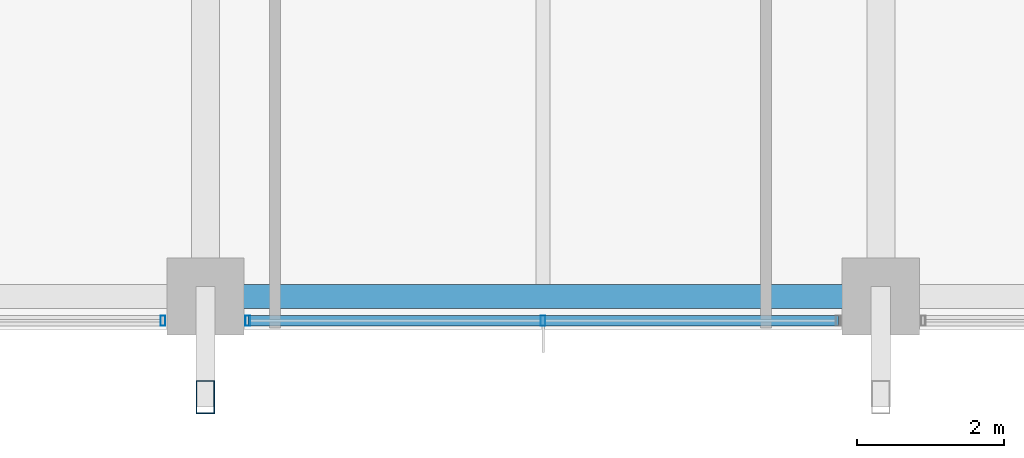
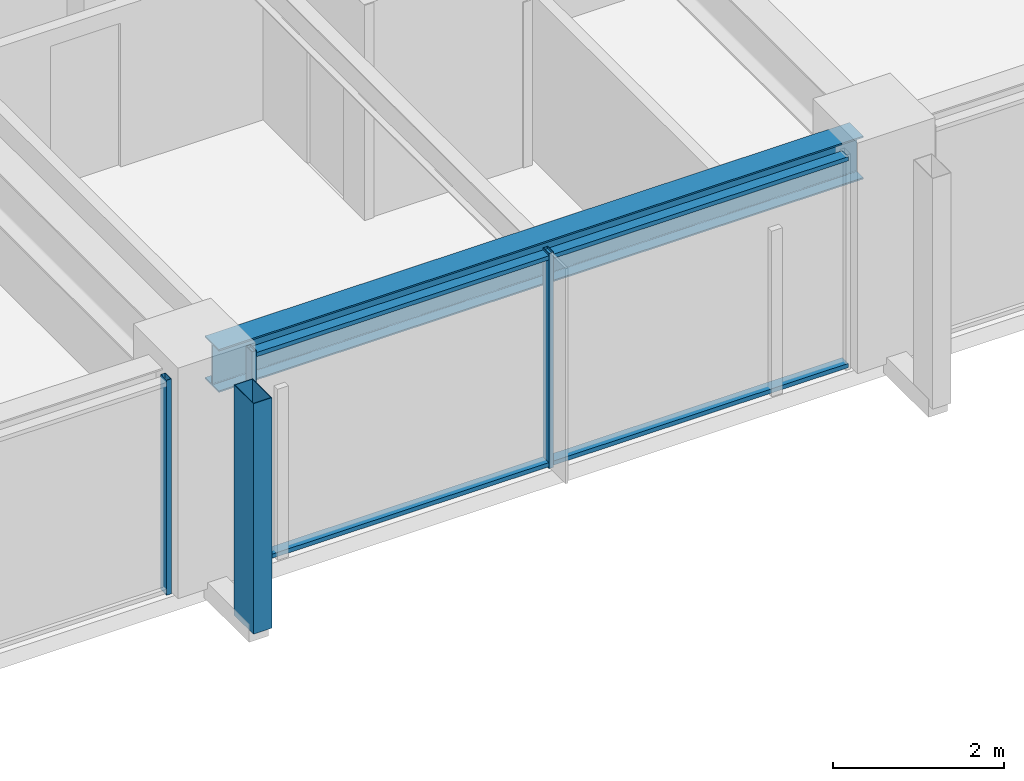
# One storey, part 4 of 37: 6 members, 1 beam, 2 elements without a shape of their own.
"""IFC4 building model written with IfcOpenShell, lengths in metres."""

from ifc_helpers import new_model, si_unit, direction, frame, origin, origin_2d, place, context, subcontext, project, spatial, hollow_rectangle, i_section, extrude, material, material_profile, profile_set, type_object, element, aggregate, save


model = new_model("IFC4")

# Units and contexts
model_context = context("Model", 3, precision=1e-05, world=origin(), true_north=direction((0.0, 1.0)))
body_context = subcontext(model_context, "Body", "Model", "MODEL_VIEW")
ifc_project = project(units=[si_unit("LENGTHUNIT", "METRE"), si_unit("AREAUNIT", "SQUARE_METRE"), si_unit("VOLUMEUNIT", "CUBIC_METRE"), si_unit("PLANEANGLEUNIT", "RADIAN"), si_unit("MASSUNIT", "GRAM", prefix="KILO")], contexts=[model_context])

# Site, building, storey
site_placement = place(None, origin())
site = spatial("IfcSite", under=ifc_project, at=site_placement, CompositionType="ELEMENT")
building_placement = place(site_placement, origin())
building = spatial("IfcBuilding", under=site, at=building_placement, Name="Kolvaren Belvedere", CompositionType="ELEMENT")
storey_placement = place(building_placement, frame((0.0, 0.0, 82.10009765625)))
storey = spatial("IfcBuildingStorey", under=building, at=storey_placement, Name="L23", CompositionType="ELEMENT", Elevation=82.10009765625)

# Beam
ifc_material_1 = material(Name="Structural steel ASTM A992 Grade 50", Category="steel")
ifc_material_profile_1 = material_profile(ifc_material_1, i_section(OverallWidth=0.324951171875, OverallDepth=0.615966796875, WebThickness=0.013916015625, FlangeThickness=0.021484375, FilletRadius=0.02001953125, at=origin_2d()), Name="W24X117")
ifc_profile_set_1 = profile_set([ifc_material_profile_1], Name="Structural steel ASTM A992 Grade 50")
beam_type = type_object("IfcBeamType", Name="BM-SPAN-W24X117", PredefinedType="SPANDREL", material=ifc_profile_set_1)
beam_placement = place(storey_placement, frame((-4.36376953125, -19.949951171875, 2.77197265625), z_axis=(1.0, 0.0, 0.0), x_axis=(0.0, 1.0, 0.0)))
element("IfcBeam", 1, at=beam_placement, inside=storey, type_object=beam_type, Name="L23 Perimeter Spandrel S2-S3", PredefinedType="SPANDREL", context=body_context, shape_type="SweptSolid", body=[
    extrude(i_section(OverallWidth=0.324951171875, OverallDepth=0.615966796875, WebThickness=0.013916015625, FlangeThickness=0.021484375, FilletRadius=0.02001953125, at=origin_2d()), origin(), (0.0, 0.0, 1.0), 8.7275390625),
])

# Curtain wall, members
ifc_material_2 = material(Name="Anodised pale-metal aluminium AA 6063-T6", Category="aluminium")
curtain_wall_type = type_object("IfcCurtainWallType", Name="CW-Z2-MID", PredefinedType="NOTDEFINED", material=ifc_material_2)
curtain_wall_1_placement = place(storey_placement, origin())
curtain_wall_1 = element("IfcCurtainWall", 2, at=curtain_wall_1_placement, inside=storey, type_object=curtain_wall_type, Name="L23 Unitised Curtain Wall FCW-L23-S-B2", PredefinedType="NOTDEFINED")
ifc_material_3 = material(Name="Anodised pale-metal aluminium AA 6063-T6", Category="aluminium")
ifc_material_profile_2 = material_profile(ifc_material_3, hollow_rectangle(XDim=0.06494140625, YDim=0.139892578125, WallThickness=0.00390625, at=origin_2d()), Name="ALU-MUL-140X65")
ifc_profile_set_2 = profile_set([ifc_material_profile_2], Name="Anodised pale-metal aluminium AA 6063-T6")
member_type_1 = type_object("IfcMemberType", Name="CW-MUL-140", PredefinedType="MULLION", material=ifc_profile_set_2)
member_1_placement = place(storey_placement, frame((0.0, -20.280029296875, 0.0), z_axis=(0.0, 0.0, 1.0), x_axis=(1.0, 0.0, 0.0)))
member_1 = element("IfcMember", 3, at=member_1_placement, type_object=member_type_1, Name="FCW-L23-S-B2 Unitised Mullion 2", PredefinedType="MULLION", context=body_context, shape_type="SweptSolid", body=[
    extrude(hollow_rectangle(XDim=0.06494140625, YDim=0.139892578125, WallThickness=0.00390625, at=origin_2d()), origin(), (0.0, 0.0, 1.0), 3.079833984375),
])
member_2_placement = place(storey_placement, frame((-4.0224609375, -20.280029296875, 0.0), z_axis=(0.0, 0.0, 1.0), x_axis=(1.0, 0.0, 0.0)))
member_2 = element("IfcMember", 4, at=member_2_placement, type_object=member_type_1, Name="FCW-L23-S-B2 Unitised Mullion 3", PredefinedType="MULLION", context=body_context, shape_type="SweptSolid", body=[
    extrude(hollow_rectangle(XDim=0.06494140625, YDim=0.139892578125, WallThickness=0.00390625, at=origin_2d()), origin(), (0.0, 0.0, 1.0), 3.079833984375),
])

# Curtain wall, member
curtain_wall_2_placement = place(storey_placement, origin())
curtain_wall_2 = element("IfcCurtainWall", 5, at=curtain_wall_2_placement, inside=storey, type_object=curtain_wall_type, Name="L23 Unitised Curtain Wall FCW-L23-S-B3", PredefinedType="NOTDEFINED")
member_3_placement = place(storey_placement, frame((-5.177490234375, -20.280029296875, 0.0), z_axis=(0.0, 0.0, 1.0), x_axis=(1.0, 0.0, 0.0)))
member_3 = element("IfcMember", 6, at=member_3_placement, type_object=member_type_1, Name="FCW-L23-S-B3 Unitised Mullion 1", PredefinedType="MULLION", context=body_context, shape_type="SweptSolid", body=[
    extrude(hollow_rectangle(XDim=0.06494140625, YDim=0.139892578125, WallThickness=0.00390625, at=origin_2d()), origin(), (0.0, 0.0, 1.0), 3.079833984375),
])
aggregate(curtain_wall_2, [member_3])

# Member
ifc_material_4 = material(Name="Anodised pale-metal aluminium AA 6063-T6", Category="aluminium")
ifc_material_profile_3 = material_profile(ifc_material_4, hollow_rectangle(XDim=0.06005859375, YDim=0.139892578125, WallThickness=0.00390625, at=origin_2d()), Name="ALU-TRN-140X60")
ifc_profile_set_3 = profile_set([ifc_material_profile_3], Name="Anodised pale-metal aluminium AA 6063-T6")
member_type_2 = type_object("IfcMemberType", Name="CW-TRN-140", PredefinedType="USERDEFINED", material=ifc_profile_set_3)
member_4_placement = place(storey_placement, frame((4.0224609375, -20.280029296875, 0.059814453125), z_axis=(-1.0, 0.0, 0.0), x_axis=(0.0, 0.0, 1.0)))
member_4 = element("IfcMember", 7, at=member_4_placement, type_object=member_type_2, Name="FCW-L23-S-B2 Sill Transom", ObjectType="TRANSOM", PredefinedType="USERDEFINED", context=body_context, shape_type="SweptSolid", body=[
    extrude(hollow_rectangle(XDim=0.06005859375, YDim=0.139892578125, WallThickness=0.00390625, at=origin_2d()), origin(), (0.0, 0.0, 1.0), 8.044921875),
])

member_5_placement = place(storey_placement, frame((4.0224609375, -20.280029296875, 3.02001953125), z_axis=(-1.0, 0.0, 0.0), x_axis=(0.0, 0.0, 1.0)))
member_5 = element("IfcMember", 8, at=member_5_placement, type_object=member_type_2, Name="FCW-L23-S-B2 Head Transom", ObjectType="TRANSOM", PredefinedType="USERDEFINED", context=body_context, shape_type="SweptSolid", body=[
    extrude(hollow_rectangle(XDim=0.06005859375, YDim=0.139892578125, WallThickness=0.00390625, at=origin_2d()), origin(), (0.0, 0.0, 1.0), 8.044921875),
])

aggregate(curtain_wall_1, [member_1, member_2, member_4, member_5])

ifc_material_5 = material(Name="Anodised pale-metal aluminium AA 6063-T6", Category="aluminium")
ifc_material_profile_4 = material_profile(ifc_material_5, hollow_rectangle(XDim=0.25, YDim=0.449951171875, WallThickness=0.008544921875, at=origin_2d()), Name="ALU-PF-450X250")
ifc_profile_set_4 = profile_set([ifc_material_profile_4], Name="Anodised pale-metal aluminium AA 6063-T6")
member_type_3 = type_object("IfcMemberType", Name="PF-FRAME-450", PredefinedType="USERDEFINED", material=ifc_profile_set_4)
member_6_placement = place(storey_placement, frame((-4.60009765625, -21.320068359375, 0.0), z_axis=(0.0, 0.0, 1.0), x_axis=(1.0, 0.0, 0.0)))
element("IfcMember", 9, at=member_6_placement, inside=storey, type_object=member_type_3, Name="L23 Outboard Picture-Frame Vertical S2", ObjectType="PICTURE FRAME FIN", PredefinedType="USERDEFINED", context=body_context, shape_type="SweptSolid", body=[
    extrude(hollow_rectangle(XDim=0.25, YDim=0.449951171875, WallThickness=0.008544921875, at=origin_2d()), origin(), (0.0, 0.0, 1.0), 3.2998046875),
])

save(model, "model.ifc")
